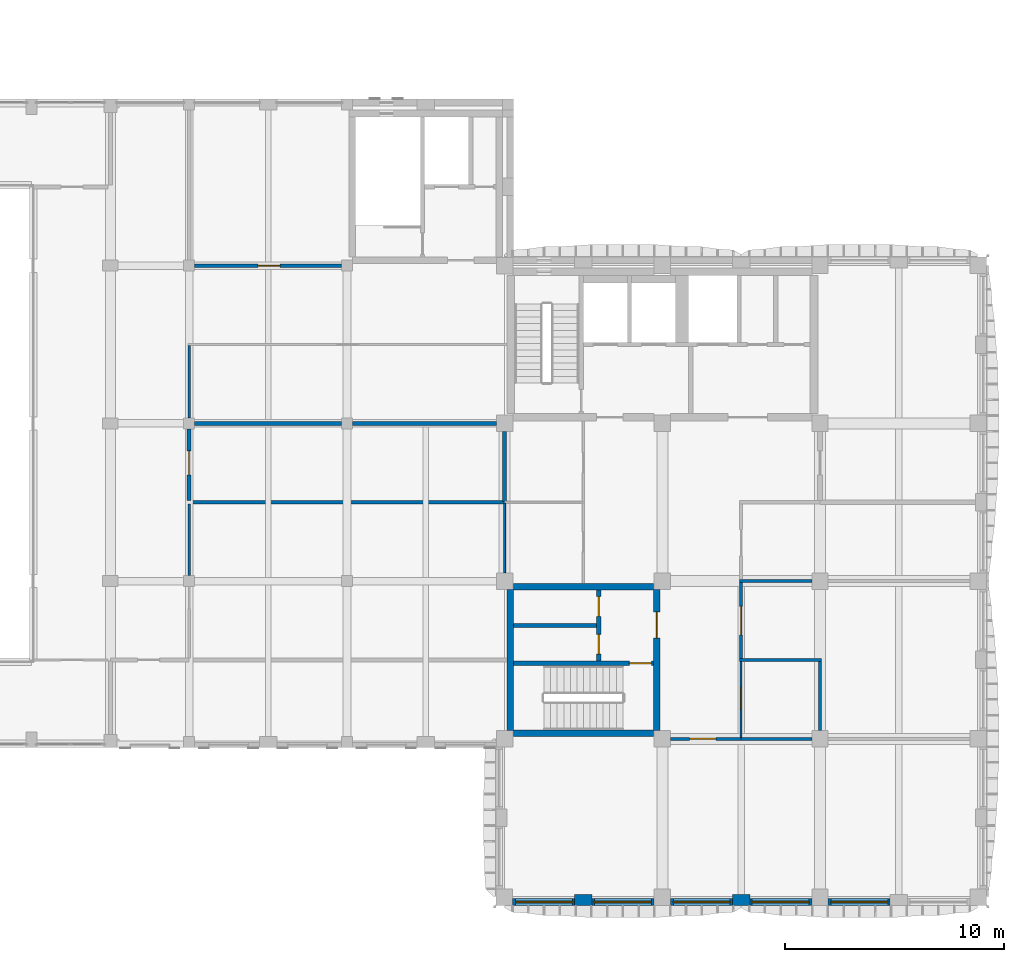
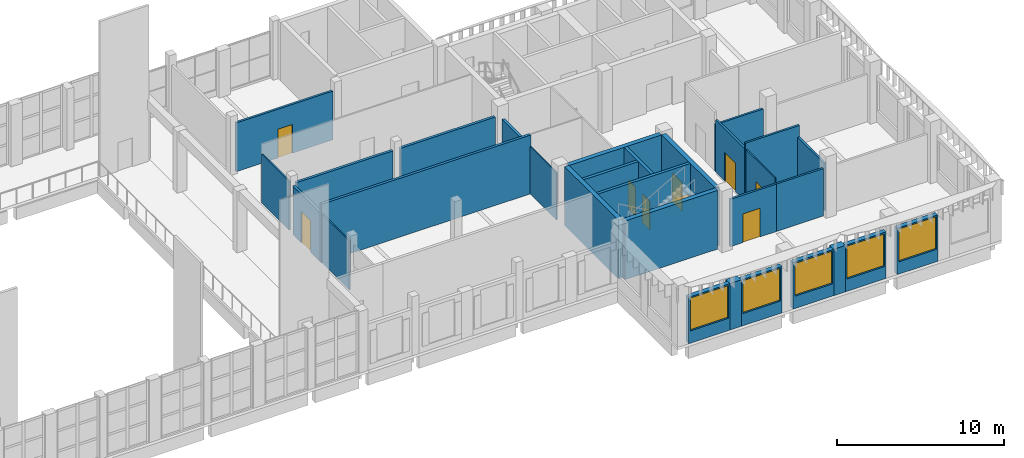
# One storey, part 20 of 54: 30 walls, 9 doors, 5 windows, 14 openings.
"""IFC4 building model written with IfcOpenShell, lengths in metres."""

from ifc_helpers import new_model, si_unit, direction, frame, frame_2d, origin, place, context, subcontext, project, spatial, rectangle, extrude, material, layer, layer_set, type_object, element, fill, save


model = new_model("IFC4")

# Units and contexts
model_context = context("Model", 3, precision=1e-05, world=origin(), true_north=direction((0.0, 1.0)))
body_context = subcontext(model_context, "Body", "Model", "MODEL_VIEW")
ifc_project = project(units=[si_unit("LENGTHUNIT", "METRE"), si_unit("AREAUNIT", "SQUARE_METRE"), si_unit("VOLUMEUNIT", "CUBIC_METRE"), si_unit("PLANEANGLEUNIT", "RADIAN"), si_unit("MASSUNIT", "GRAM", prefix="KILO")], contexts=[model_context])

# Site, building, storey
site_placement = place(None, origin())
site = spatial("IfcSite", under=ifc_project, at=site_placement, CompositionType="ELEMENT")
building_placement = place(site_placement, origin())
building = spatial("IfcBuilding", under=site, at=building_placement, Name="Ussher Court Research Institute", CompositionType="ELEMENT")
storey_placement = place(building_placement, frame((0.0, 0.0, 14.39990234375)))
storey = spatial("IfcBuildingStorey", under=building, at=storey_placement, Name="L03", CompositionType="ELEMENT", Elevation=14.39990234375)

# Walls
ifc_material_1 = material(Name="Plasterboard on steel studs with mineral wool", Category="steel")
ifc_layer_1 = layer(ifc_material_1, 0.179931640625)
ifc_layer_set_1 = layer_set([ifc_layer_1], Name="Plasterboard on steel studs with mineral wool")
wall_type_1 = type_object("IfcWallType", Name="Acoustic twin-stud partition 180", PredefinedType="PARTITIONING", material=ifc_layer_set_1)
wall_1_placement = place(storey_placement, frame((67.7099609375, 22.0, 0.0), z_axis=(0.0, 0.0, 1.0), x_axis=(1.0, 0.0, 0.0)))
element("IfcWall", 1, at=wall_1_placement, inside=storey, type_object=wall_type_1, Name="Partition", PredefinedType="PARTITIONING", context=body_context, shape_type="SweptSolid", body=[
    extrude(rectangle(XDim=14.489990234375, YDim=0.179931640625, at=frame_2d((7.2451171875, 0.0))), origin(), (0.0, 0.0, 1.0), 4.300048828125),
])
wall_2_placement = place(storey_placement, frame((68.050048828125, 25.60009765625, 0.0), z_axis=(0.0, 0.0, 1.0), x_axis=(1.0, 0.0, 0.0)))
element("IfcWall", 2, at=wall_2_placement, inside=storey, type_object=wall_type_1, Name="Partition", PredefinedType="PARTITIONING", context=body_context, shape_type="SweptSolid", body=[
    extrude(rectangle(XDim=6.699951171875, YDim=0.179931640625, at=frame_2d((3.35009765625, 0.0))), origin(), (0.0, 0.0, 1.0), 3.570068359375),
])
wall_3_placement = place(storey_placement, frame((75.25, 25.60009765625, 0.0), z_axis=(0.0, 0.0, 1.0), x_axis=(1.0, 0.0, 0.0)))
element("IfcWall", 3, at=wall_3_placement, inside=storey, type_object=wall_type_1, Name="Partition", PredefinedType="PARTITIONING", context=body_context, shape_type="SweptSolid", body=[
    extrude(rectangle(XDim=6.574951171875, YDim=0.179931640625, at=frame_2d((3.28759765625, 0.0))), origin(), (0.0, 0.0, 1.0), 3.570068359375),
])

# Wall, opening, door
wall_4_placement = place(storey_placement, frame((67.800048828125, 25.35009765625, 0.0), z_axis=(0.0, 0.0, 1.0), x_axis=(0.0, -1.0, 0.0)))
wall_4 = element("IfcWall", 4, at=wall_4_placement, inside=storey, type_object=wall_type_1, Name="Partition", PredefinedType="PARTITIONING", context=body_context, shape_type="SweptSolid", body=[
    extrude(rectangle(XDim=3.260009765625, YDim=0.179931640625, at=frame_2d((1.6298828125, 0.0))), origin(), (0.0, 0.0, 1.0), 3.570068359375),
])
opening_1_placement = place(wall_4_placement, frame((1.0, 0.0, 0.0)))
opening_1 = element("IfcOpeningElement", 5, at=opening_1_placement, cuts=wall_4, Name="Opening D03032", PredefinedType="OPENING", context=body_context, shape_type="SweptSolid", body=[
    extrude(rectangle(XDim=1.10009765625, YDim=2.300048828125, at=frame_2d((0.550048828125, 1.14990234375))), frame((0.0, 0.10009765625, 0.0), z_axis=(0.0, -1.0, 0.0), x_axis=(1.0, 0.0, 0.0)), (0.0, 0.0, 1.0), 0.199951171875),
])
ifc_material_2 = material(Name="Veneered timber door", Category="wood")
door_type_1 = type_object("IfcDoorType", Name="Seminar room door 1100x2300", OperationType="NOTDEFINED", PredefinedType="DOOR", material=ifc_material_2)
door_1_placement = place(opening_1_placement, origin())
door_1 = element("IfcDoor", 6, at=door_1_placement, inside=storey, type_object=door_type_1, Name="Door D03032", OperationType="SINGLE_SWING_LEFT", OverallHeight=2.300048828125, OverallWidth=1.10009765625, PredefinedType="DOOR", context=body_context, shape_type="SweptSolid", body=[
    extrude(rectangle(XDim=1.10009765625, YDim=2.300048828125, at=frame_2d((0.550048828125, 1.14990234375))), frame((0.0, 0.02490234375, 0.0), z_axis=(0.0, -1.0, 0.0), x_axis=(1.0, 0.0, 0.0)), (0.0, 0.0, 1.0), 0.050048828125),
])
fill(opening_1, door_1)

# Wall
wall_5_placement = place(storey_placement, frame((82.199951171875, 22.044921875, 0.0), z_axis=(0.0, 0.0, 1.0), x_axis=(0.0, 1.0, 0.0)))
element("IfcWall", 7, at=wall_5_placement, inside=storey, type_object=wall_type_1, Name="Partition", PredefinedType="PARTITIONING", context=body_context, shape_type="SweptSolid", body=[
    extrude(rectangle(XDim=3.18017578125, YDim=0.179931640625, at=frame_2d((1.590087890625, 0.0))), origin(), (0.0, 0.0, 1.0), 3.47021484375),
])

# Wall, opening, window
ifc_material_3 = material(Name="Blockwork with cream render", Category="masonry")
ifc_layer_2 = layer(ifc_material_3, 0.300048828125)
ifc_layer_set_2 = layer_set([ifc_layer_2], Name="Blockwork with cream render")
wall_type_2 = type_object("IfcWallType", Name="External wall 300 cream render", PredefinedType="SOLIDWALL", material=ifc_layer_set_2)
wall_6_placement = place(storey_placement, frame((99.800048828125, 3.75, 0.0), z_axis=(0.0, 0.0, 1.0), x_axis=(-1.0, 0.0, 0.0)))
wall_6 = element("IfcWall", 8, at=wall_6_placement, inside=storey, type_object=wall_type_2, Name="External wall EW1 L03", PredefinedType="SOLIDWALL", context=body_context, shape_type="SweptSolid", body=[
    extrude(rectangle(XDim=2.824951171875, YDim=0.300048828125, at=frame_2d((1.41259765625, 0.0))), origin(), (0.0, 0.0, 1.0), 3.400146484375),
])
opening_2_placement = place(wall_6_placement, frame((0.10009765625, 0.0, 0.89990234375)))
opening_2 = element("IfcOpeningElement", 9, at=opening_2_placement, cuts=wall_6, Name="Opening W01", PredefinedType="OPENING", context=body_context, shape_type="SweptSolid", body=[
    extrude(rectangle(XDim=2.60009765625, YDim=2.39990234375, at=frame_2d((1.300048828125, 1.199951171875))), frame((0.0, 0.16015625, 0.0), z_axis=(0.0, -1.0, 0.0), x_axis=(1.0, 0.0, 0.0)), (0.0, 0.0, 1.0), 0.320068359375),
])
ifc_material_4 = material(Name="Bronze anodised aluminium with double glazing", Category="aluminium")
window_type = type_object("IfcWindowType", Name="Laboratory bay window 2600x2400", PartitioningType="DOUBLE_PANEL_VERTICAL", PredefinedType="WINDOW", material=ifc_material_4)
window_1_placement = place(opening_2_placement, origin())
window_1 = element("IfcWindow", 10, at=window_1_placement, inside=storey, type_object=window_type, Name="Window W01 L03", OverallHeight=2.39990234375, OverallWidth=2.60009765625, PartitioningType="SINGLE_PANEL", PredefinedType="WINDOW", context=body_context, shape_type="SweptSolid", body=[
    extrude(rectangle(XDim=2.60009765625, YDim=2.39990234375, at=frame_2d((1.300048828125, 1.199951171875))), frame((0.0, 0.030029296875, 0.0), z_axis=(0.0, -1.0, 0.0), x_axis=(1.0, 0.0, 0.0)), (0.0, 0.0, 1.0), 0.06005859375),
])
fill(opening_2, window_1)

wall_7_placement = place(storey_placement, frame((96.22509765625, 3.75, 0.0), z_axis=(0.0, 0.0, 1.0), x_axis=(-1.0, 0.0, 0.0)))
wall_7 = element("IfcWall", 11, at=wall_7_placement, inside=storey, type_object=wall_type_2, Name="External wall EW1 L03", PredefinedType="SOLIDWALL", context=body_context, shape_type="SweptSolid", body=[
    extrude(rectangle(XDim=2.8251953125, YDim=0.300048828125, at=frame_2d((1.41259765625, 0.0))), origin(), (0.0, 0.0, 1.0), 3.400146484375),
])
opening_3_placement = place(wall_7_placement, frame((0.125, 0.0, 0.89990234375)))
opening_3 = element("IfcOpeningElement", 12, at=opening_3_placement, cuts=wall_7, Name="Opening W01", PredefinedType="OPENING", context=body_context, shape_type="SweptSolid", body=[
    extrude(rectangle(XDim=2.60009765625, YDim=2.39990234375, at=frame_2d((1.300048828125, 1.199951171875))), frame((0.0, 0.16015625, 0.0), z_axis=(0.0, -1.0, 0.0), x_axis=(1.0, 0.0, 0.0)), (0.0, 0.0, 1.0), 0.320068359375),
])
window_2_placement = place(opening_3_placement, origin())
window_2 = element("IfcWindow", 13, at=window_2_placement, inside=storey, type_object=window_type, Name="Window W01 L03", OverallHeight=2.39990234375, OverallWidth=2.60009765625, PartitioningType="SINGLE_PANEL", PredefinedType="WINDOW", context=body_context, shape_type="SweptSolid", body=[
    extrude(rectangle(XDim=2.60009765625, YDim=2.39990234375, at=frame_2d((1.300048828125, 1.199951171875))), frame((0.0, 0.030029296875, 0.0), z_axis=(0.0, -1.0, 0.0), x_axis=(1.0, 0.0, 0.0)), (0.0, 0.0, 1.0), 0.06005859375),
])
fill(opening_3, window_2)

wall_8_placement = place(storey_placement, frame((92.60009765625, 3.75, 0.0), z_axis=(0.0, 0.0, 1.0), x_axis=(-1.0, 0.0, 0.0)))
wall_8 = element("IfcWall", 14, at=wall_8_placement, inside=storey, type_object=wall_type_2, Name="External wall EW1 L03", PredefinedType="SOLIDWALL", context=body_context, shape_type="SweptSolid", body=[
    extrude(rectangle(XDim=2.8251953125, YDim=0.300048828125, at=frame_2d((1.41259765625, 0.0))), origin(), (0.0, 0.0, 1.0), 3.400146484375),
])
opening_4_placement = place(wall_8_placement, frame((0.10009765625, 0.0, 0.89990234375)))
opening_4 = element("IfcOpeningElement", 15, at=opening_4_placement, cuts=wall_8, Name="Opening W01", PredefinedType="OPENING", context=body_context, shape_type="SweptSolid", body=[
    extrude(rectangle(XDim=2.60009765625, YDim=2.39990234375, at=frame_2d((1.300048828125, 1.199951171875))), frame((0.0, 0.16015625, 0.0), z_axis=(0.0, -1.0, 0.0), x_axis=(1.0, 0.0, 0.0)), (0.0, 0.0, 1.0), 0.320068359375),
])
window_3_placement = place(opening_4_placement, origin())
window_3 = element("IfcWindow", 16, at=window_3_placement, inside=storey, type_object=window_type, Name="Window W01 L03", OverallHeight=2.39990234375, OverallWidth=2.60009765625, PartitioningType="SINGLE_PANEL", PredefinedType="WINDOW", context=body_context, shape_type="SweptSolid", body=[
    extrude(rectangle(XDim=2.60009765625, YDim=2.39990234375, at=frame_2d((1.300048828125, 1.199951171875))), frame((0.0, 0.030029296875, 0.0), z_axis=(0.0, -1.0, 0.0), x_axis=(1.0, 0.0, 0.0)), (0.0, 0.0, 1.0), 0.06005859375),
])
fill(opening_4, window_3)

wall_9_placement = place(storey_placement, frame((89.02490234375, 3.75, 0.0), z_axis=(0.0, 0.0, 1.0), x_axis=(-1.0, 0.0, 0.0)))
wall_9 = element("IfcWall", 17, at=wall_9_placement, inside=storey, type_object=wall_type_2, Name="External wall EW1 L03", PredefinedType="SOLIDWALL", context=body_context, shape_type="SweptSolid", body=[
    extrude(rectangle(XDim=2.824951171875, YDim=0.300048828125, at=frame_2d((1.41259765625, 0.0))), origin(), (0.0, 0.0, 1.0), 3.400146484375),
])
opening_5_placement = place(wall_9_placement, frame((0.125, 0.0, 0.89990234375)))
opening_5 = element("IfcOpeningElement", 18, at=opening_5_placement, cuts=wall_9, Name="Opening W01", PredefinedType="OPENING", context=body_context, shape_type="SweptSolid", body=[
    extrude(rectangle(XDim=2.60009765625, YDim=2.39990234375, at=frame_2d((1.300048828125, 1.199951171875))), frame((0.0, 0.16015625, 0.0), z_axis=(0.0, -1.0, 0.0), x_axis=(1.0, 0.0, 0.0)), (0.0, 0.0, 1.0), 0.320068359375),
])
window_4_placement = place(opening_5_placement, origin())
window_4 = element("IfcWindow", 19, at=window_4_placement, inside=storey, type_object=window_type, Name="Window W01 L03", OverallHeight=2.39990234375, OverallWidth=2.60009765625, PartitioningType="SINGLE_PANEL", PredefinedType="WINDOW", context=body_context, shape_type="SweptSolid", body=[
    extrude(rectangle(XDim=2.60009765625, YDim=2.39990234375, at=frame_2d((1.300048828125, 1.199951171875))), frame((0.0, 0.030029296875, 0.0), z_axis=(0.0, -1.0, 0.0), x_axis=(1.0, 0.0, 0.0)), (0.0, 0.0, 1.0), 0.06005859375),
])
fill(opening_5, window_4)

wall_10_placement = place(storey_placement, frame((85.39990234375, 3.75, 0.0), z_axis=(0.0, 0.0, 1.0), x_axis=(-1.0, 0.0, 0.0)))
wall_10 = element("IfcWall", 20, at=wall_10_placement, inside=storey, type_object=wall_type_2, Name="External wall EW1 L03", PredefinedType="SOLIDWALL", context=body_context, shape_type="SweptSolid", body=[
    extrude(rectangle(XDim=2.849853515625, YDim=0.300048828125, at=frame_2d((1.4248046875, 0.0))), origin(), (0.0, 0.0, 1.0), 3.400146484375),
])
opening_6_placement = place(wall_10_placement, frame((0.10009765625, 0.0, 0.89990234375)))
opening_6 = element("IfcOpeningElement", 21, at=opening_6_placement, cuts=wall_10, Name="Opening W01", PredefinedType="OPENING", context=body_context, shape_type="SweptSolid", body=[
    extrude(rectangle(XDim=2.60009765625, YDim=2.39990234375, at=frame_2d((1.300048828125, 1.199951171875))), frame((0.0, 0.16015625, 0.0), z_axis=(0.0, -1.0, 0.0), x_axis=(1.0, 0.0, 0.0)), (0.0, 0.0, 1.0), 0.320068359375),
])
window_5_placement = place(opening_6_placement, origin())
window_5 = element("IfcWindow", 22, at=window_5_placement, inside=storey, type_object=window_type, Name="Window W01 L03", OverallHeight=2.39990234375, OverallWidth=2.60009765625, PartitioningType="SINGLE_PANEL", PredefinedType="WINDOW", context=body_context, shape_type="SweptSolid", body=[
    extrude(rectangle(XDim=2.60009765625, YDim=2.39990234375, at=frame_2d((1.300048828125, 1.199951171875))), frame((0.0, 0.030029296875, 0.0), z_axis=(0.0, -1.0, 0.0), x_axis=(1.0, 0.0, 0.0)), (0.0, 0.0, 1.0), 0.06005859375),
])
fill(opening_6, window_5)

# Wall, opening, door
ifc_material_5 = material(Name="Plastered blockwork", Category="masonry")
ifc_layer_3 = layer(ifc_material_5, 0.14990234375)
ifc_layer_set_3 = layer_set([ifc_layer_3], Name="Plastered blockwork")
wall_type_3 = type_object("IfcWallType", Name="Fire partition blockwork 150 EI 60", PredefinedType="PARTITIONING", material=ifc_layer_set_3)
wall_11_placement = place(storey_placement, frame((68.050048828125, 32.800048828125, 0.0), z_axis=(0.0, 0.0, 1.0), x_axis=(1.0, 0.0, 0.0)))
wall_11 = element("IfcWall", 23, at=wall_11_placement, inside=storey, type_object=wall_type_3, Name="Fire partition", PredefinedType="PARTITIONING", context=body_context, shape_type="SweptSolid", body=[
    extrude(rectangle(XDim=6.699951171875, YDim=0.14990234375, at=frame_2d((3.35009765625, 0.0))), origin(), (0.0, 0.0, 1.0), 3.570068359375),
])
opening_7_placement = place(wall_11_placement, frame((2.89990234375, 0.0, 0.0)))
opening_7 = element("IfcOpeningElement", 24, at=opening_7_placement, cuts=wall_11, Name="Opening D03035", PredefinedType="OPENING", context=body_context, shape_type="SweptSolid", body=[
    extrude(rectangle(XDim=1.0, YDim=2.10009765625, at=frame_2d((0.5, 1.050048828125))), frame((0.0, 0.0849609375, 0.0), z_axis=(0.0, -1.0, 0.0), x_axis=(1.0, 0.0, 0.0)), (0.0, 0.0, 1.0), 0.169921875),
])
ifc_material_6 = material(Name="Painted steel faced fire door", Category="steel")
door_type_2 = type_object("IfcDoorType", Name="Store door 1000x2100 FD60", OperationType="NOTDEFINED", PredefinedType="DOOR", material=ifc_material_6)
door_2_placement = place(opening_7_placement, origin())
door_2 = element("IfcDoor", 25, at=door_2_placement, inside=storey, type_object=door_type_2, Name="Door D03035", OperationType="SINGLE_SWING_RIGHT", OverallHeight=2.10009765625, OverallWidth=1.0, PredefinedType="DOOR", context=body_context, shape_type="SweptSolid", body=[
    extrude(rectangle(XDim=1.0, YDim=2.10009765625, at=frame_2d((0.5, 1.050048828125))), frame((0.0, 0.02490234375, 0.0), z_axis=(0.0, -1.0, 0.0), x_axis=(1.0, 0.0, 0.0)), (0.0, 0.0, 1.0), 0.050048828125),
])
fill(opening_7, door_2)

ifc_material_7 = material(Name="Plastered blockwork", Category="masonry")
ifc_layer_4 = layer(ifc_material_7, 0.139892578125)
ifc_layer_set_4 = layer_set([ifc_layer_4], Name="Plastered blockwork")
wall_type_4 = type_object("IfcWallType", Name="Laboratory blockwork partition 140", PredefinedType="PARTITIONING", material=ifc_layer_set_4)
wall_12_placement = place(storey_placement, frame((93.0, 11.199951171875, 0.0), z_axis=(0.0, 0.0, 1.0), x_axis=(-1.0, 0.0, 0.0)))
wall_12 = element("IfcWall", 26, at=wall_12_placement, inside=storey, type_object=wall_type_4, Name="Partition", PredefinedType="PARTITIONING", context=body_context, shape_type="SweptSolid", body=[
    extrude(rectangle(XDim=3.22509765625, YDim=0.139892578125, at=frame_2d((1.612548828125, 0.0))), origin(), (0.0, 0.0, 1.0), 3.47021484375),
])
opening_8_placement = place(wall_12_placement, frame((1.14990234375, 0.0, 0.0)))
opening_8 = element("IfcOpeningElement", 27, at=opening_8_placement, cuts=wall_12, Name="Opening D03054", PredefinedType="OPENING", context=body_context, shape_type="SweptSolid", body=[
    extrude(rectangle(XDim=1.199951171875, YDim=2.10009765625, at=frame_2d((0.60009765625, 1.050048828125))), frame((0.0, 0.080078125, 0.0), z_axis=(0.0, -1.0, 0.0), x_axis=(1.0, 0.0, 0.0)), (0.0, 0.0, 1.0), 0.159912109375),
])
ifc_material_8 = material(Name="Veneered timber door", Category="wood")
door_type_3 = type_object("IfcDoorType", Name="Laboratory door 1200x2100", OperationType="NOTDEFINED", PredefinedType="DOOR", material=ifc_material_8)
door_3_placement = place(opening_8_placement, origin())
door_3 = element("IfcDoor", 28, at=door_3_placement, inside=storey, type_object=door_type_3, Name="Door D03054", OperationType="SINGLE_SWING_RIGHT", OverallHeight=2.10009765625, OverallWidth=1.199951171875, PredefinedType="DOOR", context=body_context, shape_type="SweptSolid", body=[
    extrude(rectangle(XDim=1.199951171875, YDim=2.10009765625, at=frame_2d((0.60009765625, 1.050048828125))), frame((0.0, 0.02490234375, 0.0), z_axis=(0.0, -1.0, 0.0), x_axis=(1.0, 0.0, 0.0)), (0.0, 0.0, 1.0), 0.050048828125),
])
fill(opening_8, door_3)

# Walls
wall_13_placement = place(storey_placement, frame((93.0, 11.199951171875, 0.0), z_axis=(0.0, 0.0, 1.0), x_axis=(1.0, 0.0, 0.0)))
element("IfcWall", 29, at=wall_13_placement, inside=storey, type_object=wall_type_4, Name="Partition", PredefinedType="PARTITIONING", context=body_context, shape_type="SweptSolid", body=[
    extrude(rectangle(XDim=3.22509765625, YDim=0.139892578125, at=frame_2d((1.612548828125, 0.0))), origin(), (0.0, 0.0, 1.0), 3.47021484375),
])
wall_14_placement = place(storey_placement, frame((92.929931640625, 14.800048828125, 0.0), z_axis=(0.0, 0.0, 1.0), x_axis=(1.0, 0.0, 0.0)))
element("IfcWall", 30, at=wall_14_placement, inside=storey, type_object=wall_type_4, Name="Partition", PredefinedType="PARTITIONING", context=body_context, shape_type="SweptSolid", body=[
    extrude(rectangle(XDim=3.739990234375, YDim=0.139892578125, at=frame_2d((1.8701171875, 0.0))), origin(), (0.0, 0.0, 1.0), 4.300048828125),
])
wall_15_placement = place(storey_placement, frame((92.929931640625, 18.39990234375, 0.0), z_axis=(0.0, 0.0, 1.0), x_axis=(1.0, 0.0, 0.0)))
element("IfcWall", 31, at=wall_15_placement, inside=storey, type_object=wall_type_4, Name="Partition", PredefinedType="PARTITIONING", context=body_context, shape_type="SweptSolid", body=[
    extrude(rectangle(XDim=3.295166015625, YDim=0.139892578125, at=frame_2d((1.6474609375, 0.0))), origin(), (0.0, 0.0, 1.0), 3.47021484375),
])

# Wall, opening, door
wall_16_placement = place(storey_placement, frame((93.0, 18.330078125, 0.0), z_axis=(0.0, 0.0, 1.0), x_axis=(0.0, -1.0, 0.0)))
wall_16 = element("IfcWall", 32, at=wall_16_placement, inside=storey, type_object=wall_type_4, Name="Partition", PredefinedType="PARTITIONING", context=body_context, shape_type="SweptSolid", body=[
    extrude(rectangle(XDim=3.4599609375, YDim=0.139892578125, at=frame_2d((1.72998046875, 0.0))), origin(), (0.0, 0.0, 1.0), 3.820068359375),
])
opening_9_placement = place(wall_16_placement, frame((1.080078125, 0.0, 0.0)))
opening_9 = element("IfcOpeningElement", 33, at=opening_9_placement, cuts=wall_16, Name="Opening D03056", PredefinedType="OPENING", context=body_context, shape_type="SweptSolid", body=[
    extrude(rectangle(XDim=1.300048828125, YDim=2.10009765625, at=frame_2d((0.64990234375, 1.050048828125))), frame((0.0, 0.080078125, 0.0), z_axis=(0.0, -1.0, 0.0), x_axis=(1.0, 0.0, 0.0)), (0.0, 0.0, 1.0), 0.159912109375),
])
ifc_material_9 = material(Name="Veneered timber door", Category="wood")
door_type_4 = type_object("IfcDoorType", Name="Specimen laboratory door 1300x2100", OperationType="NOTDEFINED", PredefinedType="DOOR", material=ifc_material_9)
door_4_placement = place(opening_9_placement, origin())
door_4 = element("IfcDoor", 34, at=door_4_placement, inside=storey, type_object=door_type_4, Name="Door D03056", OperationType="SINGLE_SWING_LEFT", OverallHeight=2.10009765625, OverallWidth=1.300048828125, PredefinedType="DOOR", context=body_context, shape_type="SweptSolid", body=[
    extrude(rectangle(XDim=1.300048828125, YDim=2.10009765625, at=frame_2d((0.64990234375, 1.050048828125))), frame((0.0, 0.02490234375, 0.0), z_axis=(0.0, -1.0, 0.0), x_axis=(1.0, 0.0, 0.0)), (0.0, 0.0, 1.0), 0.050048828125),
])
fill(opening_9, door_4)

# Walls
wall_17_placement = place(storey_placement, frame((96.60009765625, 11.574951171875, 0.0), z_axis=(0.0, 0.0, 1.0), x_axis=(0.0, 1.0, 0.0)))
element("IfcWall", 35, at=wall_17_placement, inside=storey, type_object=wall_type_4, Name="Partition", PredefinedType="PARTITIONING", context=body_context, shape_type="SweptSolid", body=[
    extrude(rectangle(XDim=3.155029296875, YDim=0.139892578125, at=frame_2d((1.57763671875, 0.0))), origin(), (0.0, 0.0, 1.0), 3.47021484375),
])
ifc_material_10 = material(Name="Plastered blockwork", Category="masonry")
ifc_layer_5 = layer(ifc_material_10, 0.10009765625)
ifc_layer_set_5 = layer_set([ifc_layer_5], Name="Plastered blockwork")
wall_type_5 = type_object("IfcWallType", Name="Partition plastered blockwork 100", PredefinedType="PARTITIONING", material=ifc_layer_set_5)
wall_18_placement = place(storey_placement, frame((67.800048828125, 18.64990234375, 0.0), z_axis=(0.0, 0.0, 1.0), x_axis=(0.0, 1.0, 0.0)))
element("IfcWall", 36, at=wall_18_placement, inside=storey, type_object=wall_type_5, Name="Partition", PredefinedType="PARTITIONING", context=body_context, shape_type="SweptSolid", body=[
    extrude(rectangle(XDim=3.260009765625, YDim=0.10009765625, at=frame_2d((1.6298828125, 0.0))), origin(), (0.0, 0.0, 1.0), 3.570068359375),
])
wall_19_placement = place(storey_placement, frame((67.800048828125, 25.85009765625, 0.0), z_axis=(0.0, 0.0, 1.0), x_axis=(0.0, 1.0, 0.0)))
element("IfcWall", 37, at=wall_19_placement, inside=storey, type_object=wall_type_5, Name="Partition", PredefinedType="PARTITIONING", context=body_context, shape_type="SweptSolid", body=[
    extrude(rectangle(XDim=3.2998046875, YDim=0.10009765625, at=frame_2d((1.64990234375, 0.0))), origin(), (0.0, 0.0, 1.0), 3.570068359375),
])
ifc_material_11 = material(Name="Blockwork with cream render", Category="masonry")
ifc_layer_6 = layer(ifc_material_11, 0.5)
ifc_layer_set_6 = layer_set([ifc_layer_6], Name="Blockwork with cream render")
wall_type_6 = type_object("IfcWallType", Name="Pier 800x500 cream render", PredefinedType="SOLIDWALL", material=ifc_layer_set_6)
wall_20_placement = place(storey_placement, frame((93.39990234375, 3.85009765625, 0.0), z_axis=(0.0, 0.0, 1.0), x_axis=(-1.0, 0.0, 0.0)))
element("IfcWall", 38, at=wall_20_placement, inside=storey, type_object=wall_type_6, Name="Pier PR1 L03", PredefinedType="SOLIDWALL", context=body_context, shape_type="SweptSolid", body=[
    extrude(rectangle(XDim=0.7998046875, YDim=0.5, at=frame_2d((0.39990234375, 0.0))), origin(), (0.0, 0.0, 1.0), 3.400146484375),
])
wall_21_placement = place(storey_placement, frame((86.199951171875, 3.85009765625, 0.0), z_axis=(0.0, 0.0, 1.0), x_axis=(-1.0, 0.0, 0.0)))
element("IfcWall", 39, at=wall_21_placement, inside=storey, type_object=wall_type_6, Name="Pier PR1 L03", PredefinedType="SOLIDWALL", context=body_context, shape_type="SweptSolid", body=[
    extrude(rectangle(XDim=0.800048828125, YDim=0.5, at=frame_2d((0.39990234375, 0.0))), origin(), (0.0, 0.0, 1.0), 3.400146484375),
])

# Wall, opening, door
ifc_material_12 = material(Name="Concrete C35/45", Category="concrete")
ifc_layer_7 = layer(ifc_material_12, 0.199951171875)
ifc_layer_set_7 = layer_set([ifc_layer_7], Name="Concrete C35/45")
wall_type_7 = type_object("IfcWallType", Name="RC core wall 200", PredefinedType="SHEAR", material=ifc_layer_set_7)
wall_22_placement = place(storey_placement, frame((89.0, 14.64990234375, 0.0), z_axis=(0.0, 0.0, 1.0), x_axis=(-1.0, 0.0, 0.0)))
wall_22 = element("IfcWall", 40, at=wall_22_placement, inside=storey, type_object=wall_type_7, Name="Core wall T2", PredefinedType="SHEAR", context=body_context, shape_type="SweptSolid", body=[
    extrude(rectangle(XDim=6.39990234375, YDim=0.199951171875, at=frame_2d((3.199951171875, 0.0))), origin(), (0.0, 0.0, 1.0), 4.300048828125),
])
opening_10_placement = place(wall_22_placement, frame((0.10009765625, 0.0, 0.0)))
opening_10 = element("IfcOpeningElement", 41, at=opening_10_placement, cuts=wall_22, Name="Opening D03052", PredefinedType="OPENING", context=body_context, shape_type="SweptSolid", body=[
    extrude(rectangle(XDim=1.0, YDim=2.10009765625, at=frame_2d((0.5, 1.050048828125))), frame((0.0, 0.10986328125, 0.0), z_axis=(0.0, -1.0, 0.0), x_axis=(1.0, 0.0, 0.0)), (0.0, 0.0, 1.0), 0.219970703125),
])
ifc_material_13 = material(Name="Painted steel faced fire door", Category="steel")
door_type_5 = type_object("IfcDoorType", Name="Fire door 1000x2100 FD60", OperationType="NOTDEFINED", PredefinedType="DOOR", material=ifc_material_13)
door_5_placement = place(opening_10_placement, origin())
door_5 = element("IfcDoor", 42, at=door_5_placement, inside=storey, type_object=door_type_5, Name="Door D03052", OperationType="SINGLE_SWING_LEFT", OverallHeight=2.10009765625, OverallWidth=1.0, PredefinedType="DOOR", context=body_context, shape_type="SweptSolid", body=[
    extrude(rectangle(XDim=1.0, YDim=2.10009765625, at=frame_2d((0.5, 1.050048828125))), frame((0.0, 0.02490234375, 0.0), z_axis=(0.0, -1.0, 0.0), x_axis=(1.0, 0.0, 0.0)), (0.0, 0.0, 1.0), 0.050048828125),
])
fill(opening_10, door_5)

# Wall, openings, doors
wall_23_placement = place(storey_placement, frame((86.5, 18.0, 0.0), z_axis=(0.0, 0.0, 1.0), x_axis=(0.0, -1.0, 0.0)))
wall_23 = element("IfcWall", 43, at=wall_23_placement, inside=storey, type_object=wall_type_7, Name="Core wall T2", PredefinedType="SHEAR", context=body_context, shape_type="SweptSolid", body=[
    extrude(rectangle(XDim=3.25, YDim=0.199951171875, at=frame_2d((1.625, 0.0))), origin(), (0.0, 0.0, 1.0), 4.300048828125),
])
opening_11_placement = place(wall_23_placement, frame((2.03759765625, 0.0, 0.0)))
opening_11 = element("IfcOpeningElement", 44, at=opening_11_placement, cuts=wall_23, Name="Opening D03049", PredefinedType="OPENING", context=body_context, shape_type="SweptSolid", body=[
    extrude(rectangle(XDim=0.89990234375, YDim=2.10009765625, at=frame_2d((0.449951171875, 1.050048828125))), frame((0.0, 0.10986328125, 0.0), z_axis=(0.0, -1.0, 0.0), x_axis=(1.0, 0.0, 0.0)), (0.0, 0.0, 1.0), 0.219970703125),
])
opening_12_placement = place(wall_23_placement, frame((0.3125, 0.0, 0.0)))
opening_12 = element("IfcOpeningElement", 45, at=opening_12_placement, cuts=wall_23, Name="Opening D03050", PredefinedType="OPENING", context=body_context, shape_type="SweptSolid", body=[
    extrude(rectangle(XDim=0.89990234375, YDim=2.10009765625, at=frame_2d((0.449951171875, 1.050048828125))), frame((0.0, 0.10986328125, 0.0), z_axis=(0.0, -1.0, 0.0), x_axis=(1.0, 0.0, 0.0)), (0.0, 0.0, 1.0), 0.219970703125),
])
ifc_material_14 = material(Name="Painted steel faced fire door", Category="steel")
door_type_6 = type_object("IfcDoorType", Name="Fire door 900x2100 FD60", OperationType="NOTDEFINED", PredefinedType="DOOR", material=ifc_material_14)
door_6_placement = place(opening_11_placement, origin())
door_6 = element("IfcDoor", 46, at=door_6_placement, inside=storey, type_object=door_type_6, Name="Door D03049", OperationType="SINGLE_SWING_RIGHT", OverallHeight=2.10009765625, OverallWidth=0.89990234375, PredefinedType="DOOR", context=body_context, shape_type="SweptSolid", body=[
    extrude(rectangle(XDim=0.89990234375, YDim=2.10009765625, at=frame_2d((0.449951171875, 1.050048828125))), frame((0.0, 0.02490234375, 0.0), z_axis=(0.0, -1.0, 0.0), x_axis=(1.0, 0.0, 0.0)), (0.0, 0.0, 1.0), 0.050048828125),
])
fill(opening_11, door_6)
door_7_placement = place(opening_12_placement, origin())
door_7 = element("IfcDoor", 47, at=door_7_placement, inside=storey, type_object=door_type_6, Name="Door D03050", OperationType="SINGLE_SWING_LEFT", OverallHeight=2.10009765625, OverallWidth=0.89990234375, PredefinedType="DOOR", context=body_context, shape_type="SweptSolid", body=[
    extrude(rectangle(XDim=0.89990234375, YDim=2.10009765625, at=frame_2d((0.449951171875, 1.050048828125))), frame((0.0, 0.02490234375, 0.0), z_axis=(0.0, -1.0, 0.0), x_axis=(1.0, 0.0, 0.0)), (0.0, 0.0, 1.0), 0.050048828125),
])
fill(opening_12, door_7)

# Wall
wall_24_placement = place(storey_placement, frame((82.60009765625, 16.375, 0.0), z_axis=(0.0, 0.0, 1.0), x_axis=(1.0, 0.0, 0.0)))
element("IfcWall", 48, at=wall_24_placement, inside=storey, type_object=wall_type_7, Name="Core wall T2", PredefinedType="SHEAR", context=body_context, shape_type="SweptSolid", body=[
    extrude(rectangle(XDim=3.7998046875, YDim=0.199951171875, at=frame_2d((1.89990234375, 0.0))), origin(), (0.0, 0.0, 1.0), 4.300048828125),
])

# Wall, opening, door
ifc_material_15 = material(Name="Concrete C35/45", Category="concrete")
ifc_layer_8 = layer(ifc_material_15, 0.300048828125)
ifc_layer_set_8 = layer_set([ifc_layer_8], Name="Concrete C35/45")
wall_type_8 = type_object("IfcWallType", Name="RC core wall 300", PredefinedType="SHEAR", material=ifc_layer_set_8)
wall_25_placement = place(storey_placement, frame((89.14990234375, 11.574951171875, 0.0), z_axis=(0.0, 0.0, 1.0), x_axis=(0.0, 1.0, 0.0)))
wall_25 = element("IfcWall", 49, at=wall_25_placement, inside=storey, type_object=wall_type_8, Name="Core wall T2", PredefinedType="SHEAR", context=body_context, shape_type="SweptSolid", body=[
    extrude(rectangle(XDim=6.449951171875, YDim=0.300048828125, at=frame_2d((3.22509765625, 0.0))), origin(), (0.0, 0.0, 1.0), 4.300048828125),
])
opening_13_placement = place(wall_25_placement, frame((4.22509765625, 0.0, 0.0)))
opening_13 = element("IfcOpeningElement", 50, at=opening_13_placement, cuts=wall_25, Name="Opening D03053", PredefinedType="OPENING", context=body_context, shape_type="SweptSolid", body=[
    extrude(rectangle(XDim=1.199951171875, YDim=2.10009765625, at=frame_2d((0.60009765625, 1.050048828125))), frame((0.0, 0.16015625, 0.0), z_axis=(0.0, -1.0, 0.0), x_axis=(1.0, 0.0, 0.0)), (0.0, 0.0, 1.0), 0.320068359375),
])
ifc_material_16 = material(Name="Painted steel faced fire door", Category="steel")
door_type_7 = type_object("IfcDoorType", Name="Fire door 1200x2100 FD60", OperationType="NOTDEFINED", PredefinedType="DOOR", material=ifc_material_16)
door_8_placement = place(opening_13_placement, origin())
door_8 = element("IfcDoor", 51, at=door_8_placement, inside=storey, type_object=door_type_7, Name="Door D03053", OperationType="SINGLE_SWING_RIGHT", OverallHeight=2.10009765625, OverallWidth=1.199951171875, PredefinedType="DOOR", context=body_context, shape_type="SweptSolid", body=[
    extrude(rectangle(XDim=1.199951171875, YDim=2.10009765625, at=frame_2d((0.60009765625, 1.050048828125))), frame((0.0, 0.02490234375, 0.0), z_axis=(0.0, -1.0, 0.0), x_axis=(1.0, 0.0, 0.0)), (0.0, 0.0, 1.0), 0.050048828125),
])
fill(opening_13, door_8)

# Walls
wall_26_placement = place(storey_placement, frame((82.449951171875, 11.574951171875, 0.0), z_axis=(0.0, 0.0, 1.0), x_axis=(0.0, 1.0, 0.0)))
element("IfcWall", 52, at=wall_26_placement, inside=storey, type_object=wall_type_8, Name="Core wall T2", PredefinedType="SHEAR", context=body_context, shape_type="SweptSolid", body=[
    extrude(rectangle(XDim=6.449951171875, YDim=0.300048828125, at=frame_2d((3.22509765625, 0.0))), origin(), (0.0, 0.0, 1.0), 4.300048828125),
])
for number, where, z_axis, x_axis, name in (
    (53, (82.60009765625, 11.449951171875, 0.0), (0.0, 0.0, 1.0), (1.0, 0.0, 0.0), "Core wall T2"),
    (54, (82.60009765625, 18.14990234375, 0.0), (0.0, 0.0, 1.0), (1.0, 0.0, 0.0), "Core wall T2"),
):
    element("IfcWall", number, at=place(storey_placement, frame(where, z_axis=z_axis, x_axis=x_axis)), inside=storey, type_object=wall_type_8, Name=name, PredefinedType="SHEAR", context=body_context, shape_type="SweptSolid", body=[
        extrude(rectangle(XDim=6.39990234375, YDim=0.300048828125, at=frame_2d((3.199951171875, 0.0))), origin(), (0.0, 0.0, 1.0), 4.300048828125),
    ])
ifc_material_17 = material(Name="Moisture-resistant board on steel studs", Category="steel")
ifc_layer_9 = layer(ifc_material_17, 0.090087890625)
ifc_layer_set_9 = layer_set([ifc_layer_9], Name="Moisture-resistant board on steel studs")
wall_type_9 = type_object("IfcWallType", Name="WC lining partition 90", PredefinedType="PARTITIONING", material=ifc_layer_set_9)
wall_27_placement = place(storey_placement, frame((82.199951171875, 18.77490234375, 0.0), z_axis=(0.0, 0.0, 1.0), x_axis=(0.0, 1.0, 0.0)))
element("IfcWall", 55, at=wall_27_placement, inside=storey, type_object=wall_type_9, Name="Partition", PredefinedType="PARTITIONING", context=body_context, shape_type="SweptSolid", body=[
    extrude(rectangle(XDim=3.18017578125, YDim=0.090087890625, at=frame_2d((1.590087890625, 0.0))), origin(), (0.0, 0.0, 1.0), 3.47021484375),
])

# Wall, opening, door
wall_28_placement = place(storey_placement, frame((93.0, 14.72998046875, 0.0), z_axis=(0.0, 0.0, 1.0), x_axis=(0.0, -1.0, 0.0)))
wall_28 = element("IfcWall", 56, at=wall_28_placement, inside=storey, type_object=wall_type_9, Name="Partition", PredefinedType="PARTITIONING", context=body_context, shape_type="SweptSolid", body=[
    extrude(rectangle(XDim=3.4599609375, YDim=0.090087890625, at=frame_2d((1.72998046875, 0.0))), origin(), (0.0, 0.0, 1.0), 3.820068359375),
])
opening_14_placement = place(wall_28_placement, frame((1.179931640625, 0.0, 0.0)))
opening_14 = element("IfcOpeningElement", 57, at=opening_14_placement, cuts=wall_28, Name="Opening D03055", PredefinedType="OPENING", context=body_context, shape_type="SweptSolid", body=[
    extrude(rectangle(XDim=1.0, YDim=2.199951171875, at=frame_2d((0.5, 1.10009765625))), frame((0.0, 0.05517578125, 0.0), z_axis=(0.0, -1.0, 0.0), x_axis=(1.0, 0.0, 0.0)), (0.0, 0.0, 1.0), 0.110107421875),
])
ifc_material_18 = material(Name="Veneered timber door", Category="wood")
door_type_8 = type_object("IfcDoorType", Name="Accessible WC door 1000x2200", OperationType="NOTDEFINED", PredefinedType="DOOR", material=ifc_material_18)
door_9_placement = place(opening_14_placement, origin())
door_9 = element("IfcDoor", 58, at=door_9_placement, inside=storey, type_object=door_type_8, Name="Door D03055", OperationType="SINGLE_SWING_LEFT", OverallHeight=2.199951171875, OverallWidth=1.0, PredefinedType="DOOR", context=body_context, shape_type="SweptSolid", body=[
    extrude(rectangle(XDim=1.0, YDim=2.199951171875, at=frame_2d((0.5, 1.10009765625))), frame((0.0, 0.02490234375, 0.0), z_axis=(0.0, -1.0, 0.0), x_axis=(1.0, 0.0, 0.0)), (0.0, 0.0, 1.0), 0.050048828125),
])
fill(opening_14, door_9)

save(model, "model.ifc")
